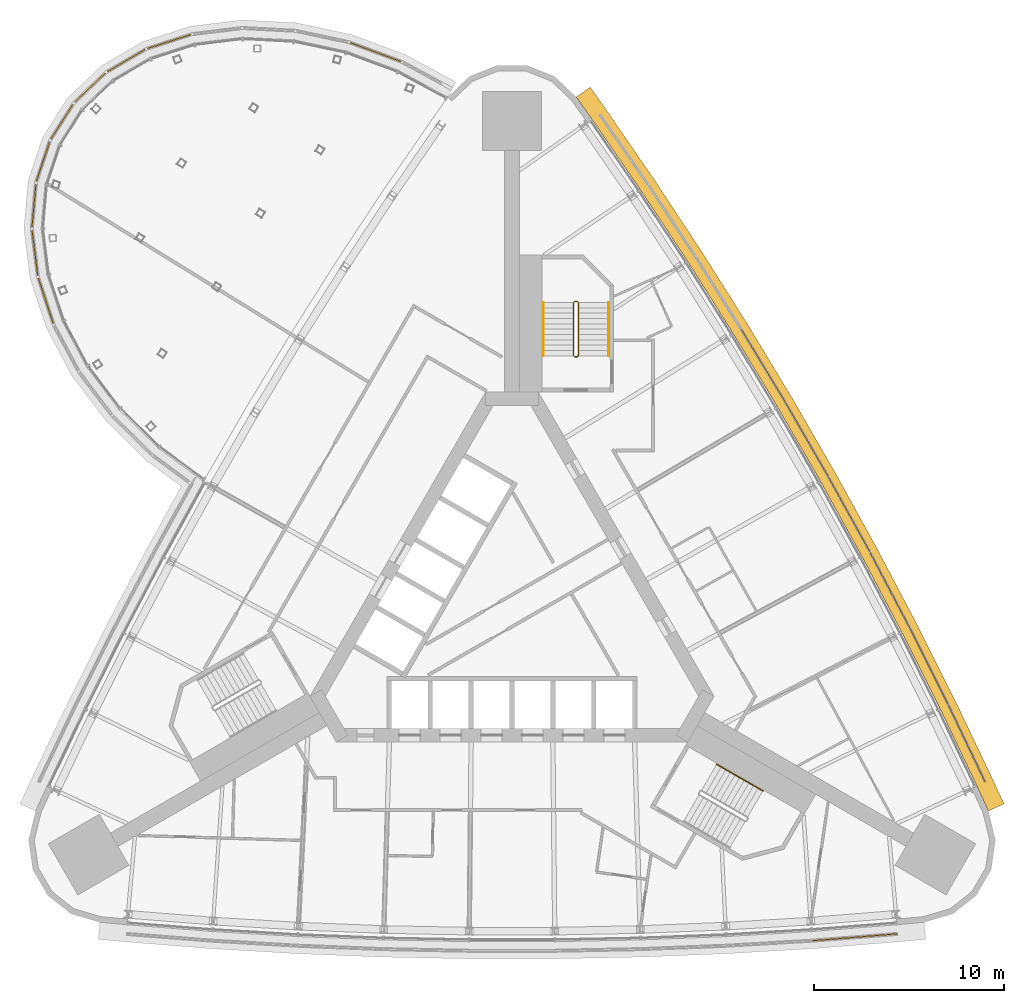
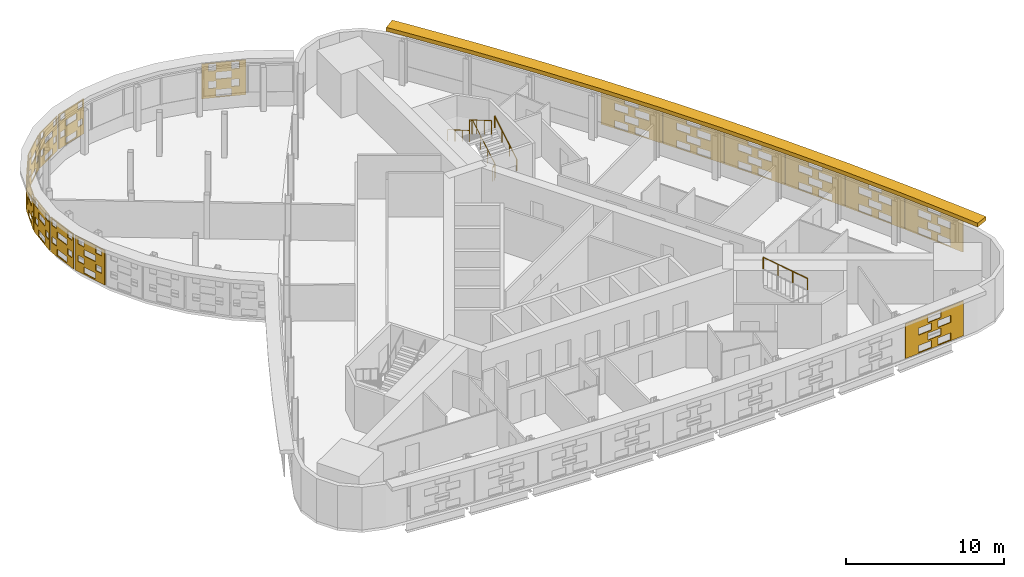
# One storey, part 15 of 16: 17 shading devices, 4 railings.
"""IFC4 building model written with IfcOpenShell, lengths in metres."""

from ifc_helpers import new_model, si_unit, direction, frame, origin, origin_2d, place, context, subcontext, project, spatial, polyline, circle, outline, extrude, material, layer, layer_set, material_profile, profile_set, type_object, element, save


model = new_model("IFC4")

# Units and contexts
model_context = context("Model", 3, precision=1e-05, world=origin(), true_north=direction((0.0, 1.0)))
body_context = subcontext(model_context, "Body", "Model", "MODEL_VIEW")
ifc_project = project(units=[si_unit("LENGTHUNIT", "METRE"), si_unit("AREAUNIT", "SQUARE_METRE"), si_unit("VOLUMEUNIT", "CUBIC_METRE"), si_unit("PLANEANGLEUNIT", "RADIAN"), si_unit("MASSUNIT", "GRAM", prefix="KILO")], contexts=[model_context])

# Site, building, storey
site_placement = place(None, origin())
site = spatial("IfcSite", under=ifc_project, at=site_placement, CompositionType="ELEMENT")
building_placement = place(site_placement, origin())
building = spatial("IfcBuilding", under=site, at=building_placement, Name="Noor Cloister Tower", CompositionType="ELEMENT")
storey_placement = place(building_placement, frame((0.0, 0.0, 91.5)))
storey = spatial("IfcBuildingStorey", under=building, at=storey_placement, Name="L23", CompositionType="ELEMENT", Elevation=91.5)

# Shading devices
ifc_material_1 = material(Name="Limestone", Category="masonry")
ifc_material_profile = material_profile(ifc_material_1, outline(polyline([(-2.22998046875, -1.35009765625), (2.22998046875, -1.35009765625), (2.22998046875, 1.35009765625), (-2.22998046875, 1.35009765625), (-2.22998046875, -1.35009765625)]), holes=[polyline([(-1.25, -1.282470703125), (-0.25, -1.282470703125), (-0.25, -0.742431640625), (-1.25, -0.742431640625), (-1.25, -1.282470703125)]), polyline([(0.25, -1.282470703125), (1.25, -1.282470703125), (1.25, -0.742431640625), (0.25, -0.742431640625), (0.25, -1.282470703125)]), polyline([(-0.5, -0.607421875), (0.5, -0.607421875), (0.5, -0.0673828125), (-0.5, -0.0673828125), (-0.5, -0.607421875)]), polyline([(-1.25, 0.0673828125), (-0.25, 0.0673828125), (-0.25, 0.607421875), (-1.25, 0.607421875), (-1.25, 0.0673828125)]), polyline([(0.25, 0.0673828125), (1.25, 0.0673828125), (1.25, 0.607421875), (0.25, 0.607421875), (0.25, 0.0673828125)]), polyline([(-0.5, 0.742431640625), (0.5, 0.742431640625), (0.5, 1.282470703125), (-0.5, 1.282470703125), (-0.5, 0.742431640625)])]), Name="Woven screen 28 percent open")
ifc_profile_set = profile_set([ifc_material_profile], Name="Limestone")
shading_device_type_1 = type_object("IfcShadingDeviceType", Name="SCREEN woven limestone 28 percent open", PredefinedType="USERDEFINED", material=ifc_profile_set)
for number, where, z_axis, x_axis, name in (
    (1, (18.015869140625, -17.15673828125, 1.85009765625), (0.081362009455, -0.996684615823, 0.0), (0.996684615823, 0.081362009455, 0.0), "SCREEN L23 9"),
    (2, (23.8662109375, -7.02392578125, 1.85009765625), (0.902409201061, 0.430880068975, 0.0), (-0.430880068975, 0.902409201061, 0.0), "SCREEN L23 1"),
    (3, (21.885986328125, -2.973388671875, 1.85009765625), (0.894427191, 0.4472135955, 0.0), (-0.4472135955, 0.894427191, 0.0), "SCREEN L23 2"),
):
    element("IfcShadingDevice", number, at=place(storey_placement, frame(where, z_axis=z_axis, x_axis=x_axis)), inside=storey, type_object=shading_device_type_1, Name=name, ObjectType="SCREEN", PredefinedType="USERDEFINED", context=body_context, shape_type="SweptSolid", body=[
        extrude(outline(polyline([(-2.22998046875, -1.35009765625), (2.22998046875, -1.35009765625), (2.22998046875, 1.35009765625), (-2.22998046875, 1.35009765625), (-2.22998046875, -1.35009765625)]), holes=[polyline([(-1.25, -1.282470703125), (-0.25, -1.282470703125), (-0.25, -0.742431640625), (-1.25, -0.742431640625), (-1.25, -1.282470703125)]), polyline([(0.25, -1.282470703125), (1.25, -1.282470703125), (1.25, -0.742431640625), (0.25, -0.742431640625), (0.25, -1.282470703125)]), polyline([(-0.5, -0.607421875), (0.5, -0.607421875), (0.5, -0.0673828125), (-0.5, -0.0673828125), (-0.5, -0.607421875)]), polyline([(-1.25, 0.0673828125), (-0.25, 0.0673828125), (-0.25, 0.607421875), (-1.25, 0.607421875), (-1.25, 0.0673828125)]), polyline([(0.25, 0.0673828125), (1.25, 0.0673828125), (1.25, 0.607421875), (0.25, 0.607421875), (0.25, 0.0673828125)]), polyline([(-0.5, 0.742431640625), (0.5, 0.742431640625), (0.5, 1.282470703125), (-0.5, 1.282470703125), (-0.5, 0.742431640625)])]), origin(), (0.0, 0.0, 1.0), 0.06005859375),
    ])
shading_device_1_placement = place(storey_placement, frame((19.82666015625, 1.037353515625, 1.85009765625), z_axis=(0.885271944608, 0.465073740486, 0.0), x_axis=(-0.465073740486, 0.885271944608, 0.0)))
element("IfcShadingDevice", 4, at=shading_device_1_placement, inside=storey, type_object=shading_device_type_1, Name="SCREEN L23 3", ObjectType="SCREEN", PredefinedType="USERDEFINED", context=body_context, shape_type="SweptSolid", body=[
    extrude(outline(polyline([(-2.22998046875, -1.35009765625), (2.22998046875, -1.35009765625), (2.22998046875, 1.35009765625), (-2.22998046875, 1.35009765625), (-2.22998046875, -1.35009765625)]), holes=[polyline([(-1.25, -1.282470703125), (-0.25, -1.282470703125), (-0.25, -0.742431640625), (-1.25, -0.742431640625), (-1.25, -1.282470703125)]), polyline([(0.25, -1.282470703125), (1.25, -1.282470703125), (1.25, -0.742431640625), (0.25, -0.742431640625), (0.25, -1.282470703125)]), polyline([(-0.5, -0.607421875), (0.5, -0.607421875), (0.5, -0.0673828125), (-0.5, -0.0673828125), (-0.5, -0.607421875)]), polyline([(-1.25, 0.0673828125), (-0.25, 0.0673828125), (-0.25, 0.607421875), (-1.25, 0.607421875), (-1.25, 0.0673828125)]), polyline([(0.25, 0.0673828125), (1.25, 0.0673828125), (1.25, 0.607421875), (0.25, 0.607421875), (0.25, 0.0673828125)]), polyline([(-0.5, 0.742431640625), (0.5, 0.742431640625), (0.5, 1.282470703125), (-0.5, 1.282470703125), (-0.5, 0.742431640625)])]), origin(), (0.0, 0.0, 1.0), 0.059814453125),
])
for number, where, z_axis, x_axis, name in (
    (5, (17.6884765625, 5.006591796875, 1.85009765625), (0.874923997532, 0.484260259099, 0.0), (-0.484260259099, 0.874923997532, 0.0), "SCREEN L23 4"),
    (6, (15.47265625, 8.93310546875, 1.85009765625), (0.865982457891, 0.500074377092, 0.0), (-0.500074377092, 0.865982457891, 0.0), "SCREEN L23 5"),
):
    element("IfcShadingDevice", number, at=place(storey_placement, frame(where, z_axis=z_axis, x_axis=x_axis)), inside=storey, type_object=shading_device_type_1, Name=name, ObjectType="SCREEN", PredefinedType="USERDEFINED", context=body_context, shape_type="SweptSolid", body=[
        extrude(outline(polyline([(-2.22998046875, -1.35009765625), (2.22998046875, -1.35009765625), (2.22998046875, 1.35009765625), (-2.22998046875, 1.35009765625), (-2.22998046875, -1.35009765625)]), holes=[polyline([(-1.25, -1.282470703125), (-0.25, -1.282470703125), (-0.25, -0.742431640625), (-1.25, -0.742431640625), (-1.25, -1.282470703125)]), polyline([(0.25, -1.282470703125), (1.25, -1.282470703125), (1.25, -0.742431640625), (0.25, -0.742431640625), (0.25, -1.282470703125)]), polyline([(-0.5, -0.607421875), (0.5, -0.607421875), (0.5, -0.0673828125), (-0.5, -0.0673828125), (-0.5, -0.607421875)]), polyline([(-1.25, 0.0673828125), (-0.25, 0.0673828125), (-0.25, 0.607421875), (-1.25, 0.607421875), (-1.25, 0.0673828125)]), polyline([(0.25, 0.0673828125), (1.25, 0.0673828125), (1.25, 0.607421875), (0.25, 0.607421875), (0.25, 0.0673828125)]), polyline([(-0.5, 0.742431640625), (0.5, 0.742431640625), (0.5, 1.282470703125), (-0.5, 1.282470703125), (-0.5, 0.742431640625)])]), origin(), (0.0, 0.0, 1.0), 0.06005859375),
    ])
shading_device_2_placement = place(storey_placement, frame((13.18017578125, 12.8154296875, 1.85009765625), z_axis=(0.855690023312, 0.517488728384, 0.0), x_axis=(-0.517488728384, 0.855690023312, 0.0)))
element("IfcShadingDevice", 7, at=shading_device_2_placement, inside=storey, type_object=shading_device_type_1, Name="SCREEN L23 6", ObjectType="SCREEN", PredefinedType="USERDEFINED", context=body_context, shape_type="SweptSolid", body=[
    extrude(outline(polyline([(-2.22998046875, -1.35009765625), (2.22998046875, -1.35009765625), (2.22998046875, 1.35009765625), (-2.22998046875, 1.35009765625), (-2.22998046875, -1.35009765625)]), holes=[polyline([(-1.25, -1.282470703125), (-0.25, -1.282470703125), (-0.25, -0.742431640625), (-1.25, -0.742431640625), (-1.25, -1.282470703125)]), polyline([(0.25, -1.282470703125), (1.25, -1.282470703125), (1.25, -0.742431640625), (0.25, -0.742431640625), (0.25, -1.282470703125)]), polyline([(-0.5, -0.607421875), (0.5, -0.607421875), (0.5, -0.0673828125), (-0.5, -0.0673828125), (-0.5, -0.607421875)]), polyline([(-1.25, 0.0673828125), (-0.25, 0.0673828125), (-0.25, 0.607421875), (-1.25, 0.607421875), (-1.25, 0.0673828125)]), polyline([(0.25, 0.0673828125), (1.25, 0.0673828125), (1.25, 0.607421875), (0.25, 0.607421875), (0.25, 0.0673828125)]), polyline([(-0.5, 0.742431640625), (0.5, 0.742431640625), (0.5, 1.282470703125), (-0.5, 1.282470703125), (-0.5, 0.742431640625)])]), origin(), (0.0, 0.0, 1.0), 0.059814453125),
])
ifc_material_2 = material(Name="Limestone", Category="masonry")
ifc_layer = layer(ifc_material_2, 0.06005859375)
ifc_layer_set = layer_set([ifc_layer], Name="SCREEN woven limestone pod 28 percent open")
shading_device_type_2 = type_object("IfcShadingDeviceType", Name="SCREEN woven limestone pod 28 percent open", PredefinedType="USERDEFINED", material=ifc_layer_set)
shading_device_3_placement = place(storey_placement, frame((-7.169677734375, 29.285888671875, 1.85009765625), z_axis=(0.348899454527, 0.937160162742, 0.0), x_axis=(-0.937160162742, 0.348899454527, 0.0)))
element("IfcShadingDevice", 8, at=shading_device_3_placement, inside=storey, type_object=shading_device_type_2, Name="SCREEN L23 2", ObjectType="SCREEN", PredefinedType="USERDEFINED", context=body_context, shape_type="SweptSolid", body=[
    extrude(outline(polyline([(-1.431640625, -1.35009765625), (1.431640625, -1.35009765625), (1.431640625, 1.35009765625), (-1.431640625, 1.35009765625), (-1.431640625, -1.35009765625)]), holes=[polyline([(-0.5, -1.282470703125), (0.5, -1.282470703125), (0.5, -0.742431640625), (-0.5, -0.742431640625), (-0.5, -1.282470703125)]), polyline([(-1.0, -0.607421875), (-0.5, -0.607421875), (-0.5, -0.0673828125), (-1.0, -0.0673828125), (-1.0, -0.607421875)]), polyline([(0.5, -0.607421875), (1.0, -0.607421875), (1.0, -0.0673828125), (0.5, -0.0673828125), (0.5, -0.607421875)]), polyline([(-0.5, 0.0673828125), (0.5, 0.0673828125), (0.5, 0.607421875), (-0.5, 0.607421875), (-0.5, 0.0673828125)]), polyline([(-1.0, 0.742431640625), (-0.5, 0.742431640625), (-0.5, 1.282470703125), (-1.0, 1.282470703125), (-1.0, 0.742431640625)]), polyline([(0.5, 0.742431640625), (1.0, 0.742431640625), (1.0, 1.282470703125), (0.5, 1.282470703125), (0.5, 0.742431640625)])]), origin(), (0.0, 0.0, 1.0), 0.06005859375),
])
shading_device_4_placement = place(storey_placement, frame((-17.99951171875, 29.841796875, 1.85009765625), z_axis=(-0.305218682065, 0.952282288042, 0.0), x_axis=(-0.952282288042, -0.305218682065, 0.0)))
element("IfcShadingDevice", 9, at=shading_device_4_placement, inside=storey, type_object=shading_device_type_2, Name="SCREEN L23 6", ObjectType="SCREEN", PredefinedType="USERDEFINED", context=body_context, shape_type="SweptSolid", body=[
    extrude(outline(polyline([(-1.198486328125, -1.35009765625), (1.198486328125, -1.35009765625), (1.198486328125, 1.35009765625), (-1.198486328125, 1.35009765625), (-1.198486328125, -1.35009765625)]), holes=[polyline([(-0.5, -1.251220703125), (0.5, -1.251220703125), (0.5, -0.773681640625), (-0.5, -0.773681640625), (-0.5, -1.251220703125)]), polyline([(0.60009765625, -0.576416015625), (1.048583984375, -0.576416015625), (1.048583984375, -0.0986328125), (0.60009765625, -0.0986328125), (0.60009765625, -0.576416015625)]), polyline([(-1.048583984375, -0.576416015625), (-0.60009765625, -0.576416015625), (-0.60009765625, -0.0986328125), (-1.048583984375, -0.0986328125), (-1.048583984375, -0.576416015625)]), polyline([(-0.5, 0.0986328125), (0.5, 0.0986328125), (0.5, 0.576416015625), (-0.5, 0.576416015625), (-0.5, 0.0986328125)]), polyline([(0.60009765625, 0.773681640625), (1.048583984375, 0.773681640625), (1.048583984375, 1.251220703125), (0.60009765625, 1.251220703125), (0.60009765625, 0.773681640625)]), polyline([(-1.048583984375, 0.773681640625), (-0.60009765625, 0.773681640625), (-0.60009765625, 1.251220703125), (-1.048583984375, 1.251220703125), (-1.048583984375, 0.773681640625)])]), origin(), (0.0, 0.0, 1.0), 0.06005859375),
])
shading_device_5_placement = place(storey_placement, frame((-20.248291015625, 28.844970703125, 1.85009765625), z_axis=(-0.504883315038, 0.863187603129, 0.0), x_axis=(-0.863187603129, -0.504883315038, 0.0)))
element("IfcShadingDevice", 10, at=shading_device_5_placement, inside=storey, type_object=shading_device_type_2, Name="SCREEN L23 7", ObjectType="SCREEN", PredefinedType="USERDEFINED", context=body_context, shape_type="SweptSolid", body=[
    extrude(outline(polyline([(-1.13916015625, -1.35009765625), (1.13916015625, -1.35009765625), (1.13916015625, 1.35009765625), (-1.13916015625, 1.35009765625), (-1.13916015625, -1.35009765625)]), holes=[polyline([(-0.5, -1.254638671875), (0.5, -1.254638671875), (0.5, -0.770263671875), (-0.5, -0.770263671875), (-0.5, -1.254638671875)]), polyline([(0.60009765625, -0.57958984375), (0.9892578125, -0.57958984375), (0.9892578125, -0.095458984375), (0.60009765625, -0.095458984375), (0.60009765625, -0.57958984375)]), polyline([(-0.9892578125, -0.57958984375), (-0.60009765625, -0.57958984375), (-0.60009765625, -0.095458984375), (-0.9892578125, -0.095458984375), (-0.9892578125, -0.57958984375)]), polyline([(-0.5, 0.095458984375), (0.5, 0.095458984375), (0.5, 0.57958984375), (-0.5, 0.57958984375), (-0.5, 0.095458984375)]), polyline([(0.60009765625, 0.770263671875), (0.9892578125, 0.770263671875), (0.9892578125, 1.254638671875), (0.60009765625, 1.254638671875), (0.60009765625, 0.770263671875)]), polyline([(-0.9892578125, 0.770263671875), (-0.60009765625, 0.770263671875), (-0.60009765625, 1.254638671875), (-0.9892578125, 1.254638671875), (-0.9892578125, 0.770263671875)])]), origin(), (0.0, 0.0, 1.0), 0.06005859375),
])
shading_device_6_placement = place(storey_placement, frame((-22.145263671875, 27.42919921875, 1.85009765625), z_axis=(-0.688535283471, 0.725202842945, 0.0), x_axis=(-0.725202842945, -0.688535283471, 0.0)))
element("IfcShadingDevice", 11, at=shading_device_6_placement, inside=storey, type_object=shading_device_type_2, Name="SCREEN L23 8", ObjectType="SCREEN", PredefinedType="USERDEFINED", context=body_context, shape_type="SweptSolid", body=[
    extrude(outline(polyline([(-1.098388671875, -1.35009765625), (1.098388671875, -1.35009765625), (1.098388671875, 1.35009765625), (-1.098388671875, 1.35009765625), (-1.098388671875, -1.35009765625)]), holes=[polyline([(-0.5, -1.257080078125), (0.5, -1.257080078125), (0.5, -0.767822265625), (-0.5, -0.767822265625), (-0.5, -1.257080078125)]), polyline([(0.60009765625, -0.582275390625), (0.948486328125, -0.582275390625), (0.948486328125, -0.0927734375), (0.60009765625, -0.0927734375), (0.60009765625, -0.582275390625)]), polyline([(-0.948486328125, -0.582275390625), (-0.60009765625, -0.582275390625), (-0.60009765625, -0.0927734375), (-0.948486328125, -0.0927734375), (-0.948486328125, -0.582275390625)]), polyline([(-0.5, 0.0927734375), (0.5, 0.0927734375), (0.5, 0.582275390625), (-0.5, 0.582275390625), (-0.5, 0.0927734375)]), polyline([(0.60009765625, 0.767822265625), (0.948486328125, 0.767822265625), (0.948486328125, 1.257080078125), (0.60009765625, 1.257080078125), (0.60009765625, 0.767822265625)]), polyline([(-0.948486328125, 0.767822265625), (-0.60009765625, 0.767822265625), (-0.60009765625, 1.257080078125), (-0.948486328125, 1.257080078125), (-0.948486328125, 0.767822265625)])]), origin(), (0.0, 0.0, 1.0), 0.059814453125),
])
shading_device_7_placement = place(storey_placement, frame((-23.617919921875, 25.642578125, 1.85009765625), z_axis=(-0.844329420183, 0.535824439731, 0.0), x_axis=(-0.535824439731, -0.844329420183, 0.0)))
element("IfcShadingDevice", 12, at=shading_device_7_placement, inside=storey, type_object=shading_device_type_2, Name="SCREEN L23 9", ObjectType="SCREEN", PredefinedType="USERDEFINED", context=body_context, shape_type="SweptSolid", body=[
    extrude(outline(polyline([(-1.083740234375, -1.35009765625), (1.083740234375, -1.35009765625), (1.083740234375, 1.35009765625), (-1.083740234375, 1.35009765625), (-1.083740234375, -1.35009765625)]), holes=[polyline([(-0.5, -1.258056640625), (0.5, -1.258056640625), (0.5, -0.766845703125), (-0.5, -0.766845703125), (-0.5, -1.258056640625)]), polyline([(0.60009765625, -0.583251953125), (0.933837890625, -0.583251953125), (0.933837890625, -0.091796875), (0.60009765625, -0.091796875), (0.60009765625, -0.583251953125)]), polyline([(-0.933837890625, -0.583251953125), (-0.60009765625, -0.583251953125), (-0.60009765625, -0.091796875), (-0.933837890625, -0.091796875), (-0.933837890625, -0.583251953125)]), polyline([(-0.5, 0.091796875), (0.5, 0.091796875), (0.5, 0.583251953125), (-0.5, 0.583251953125), (-0.5, 0.091796875)]), polyline([(0.60009765625, 0.766845703125), (0.933837890625, 0.766845703125), (0.933837890625, 1.258056640625), (0.60009765625, 1.258056640625), (0.60009765625, 0.766845703125)]), polyline([(-0.933837890625, 0.766845703125), (-0.60009765625, 0.766845703125), (-0.60009765625, 1.258056640625), (-0.933837890625, 1.258056640625), (-0.933837890625, 0.766845703125)])]), origin(), (0.0, 0.0, 1.0), 0.06005859375),
])
shading_device_8_placement = place(storey_placement, frame((-24.610107421875, 23.55029296875, 1.85009765625), z_axis=(-0.94827552716, 0.317448459736, 0.0), x_axis=(-0.317448459736, -0.94827552716, 0.0)))
element("IfcShadingDevice", 13, at=shading_device_8_placement, inside=storey, type_object=shading_device_type_2, Name="SCREEN L23 10", ObjectType="SCREEN", PredefinedType="USERDEFINED", context=body_context, shape_type="SweptSolid", body=[
    extrude(outline(polyline([(-1.098388671875, -1.35009765625), (1.098388671875, -1.35009765625), (1.098388671875, 1.35009765625), (-1.098388671875, 1.35009765625), (-1.098388671875, -1.35009765625)]), holes=[polyline([(-0.5, -1.257080078125), (0.5, -1.257080078125), (0.5, -0.767822265625), (-0.5, -0.767822265625), (-0.5, -1.257080078125)]), polyline([(0.60009765625, -0.582275390625), (0.948486328125, -0.582275390625), (0.948486328125, -0.0927734375), (0.60009765625, -0.0927734375), (0.60009765625, -0.582275390625)]), polyline([(-0.948486328125, -0.582275390625), (-0.60009765625, -0.582275390625), (-0.60009765625, -0.0927734375), (-0.948486328125, -0.0927734375), (-0.948486328125, -0.582275390625)]), polyline([(-0.5, 0.0927734375), (0.5, 0.0927734375), (0.5, 0.582275390625), (-0.5, 0.582275390625), (-0.5, 0.0927734375)]), polyline([(0.60009765625, 0.767822265625), (0.948486328125, 0.767822265625), (0.948486328125, 1.257080078125), (0.60009765625, 1.257080078125), (0.60009765625, 0.767822265625)]), polyline([(-0.948486328125, 0.767822265625), (-0.60009765625, 0.767822265625), (-0.60009765625, 1.257080078125), (-0.948486328125, 1.257080078125), (-0.948486328125, 0.767822265625)])]), origin(), (0.0, 0.0, 1.0), 0.06005859375),
])
shading_device_9_placement = place(storey_placement, frame((-25.08642578125, 21.23193359375, 1.85009765625), z_axis=(-0.995959849254, 0.089799658539, 0.0), x_axis=(-0.089799658539, -0.995959849254, 0.0)))
element("IfcShadingDevice", 14, at=shading_device_9_placement, inside=storey, type_object=shading_device_type_2, Name="SCREEN L23 11", ObjectType="SCREEN", PredefinedType="USERDEFINED", context=body_context, shape_type="SweptSolid", body=[
    extrude(outline(polyline([(-1.13916015625, -1.35009765625), (1.13916015625, -1.35009765625), (1.13916015625, 1.35009765625), (-1.13916015625, 1.35009765625), (-1.13916015625, -1.35009765625)]), holes=[polyline([(-0.5, -1.254638671875), (0.5, -1.254638671875), (0.5, -0.770263671875), (-0.5, -0.770263671875), (-0.5, -1.254638671875)]), polyline([(0.60009765625, -0.57958984375), (0.9892578125, -0.57958984375), (0.9892578125, -0.095458984375), (0.60009765625, -0.095458984375), (0.60009765625, -0.57958984375)]), polyline([(-0.9892578125, -0.57958984375), (-0.60009765625, -0.57958984375), (-0.60009765625, -0.095458984375), (-0.9892578125, -0.095458984375), (-0.9892578125, -0.57958984375)]), polyline([(-0.5, 0.095458984375), (0.5, 0.095458984375), (0.5, 0.57958984375), (-0.5, 0.57958984375), (-0.5, 0.095458984375)]), polyline([(0.60009765625, 0.770263671875), (0.9892578125, 0.770263671875), (0.9892578125, 1.254638671875), (0.60009765625, 1.254638671875), (0.60009765625, 0.770263671875)]), polyline([(-0.9892578125, 0.770263671875), (-0.60009765625, 0.770263671875), (-0.60009765625, 1.254638671875), (-0.9892578125, 1.254638671875), (-0.9892578125, 0.770263671875)])]), origin(), (0.0, 0.0, 1.0), 0.059814453125),
])
shading_device_10_placement = place(storey_placement, frame((-25.033935546875, 18.7724609375, 1.85009765625), z_axis=(-0.992025662364, -0.126036047268, 0.0), x_axis=(0.126036047268, -0.992025662364, 0.0)))
element("IfcShadingDevice", 15, at=shading_device_10_placement, inside=storey, type_object=shading_device_type_2, Name="SCREEN L23 12", ObjectType="SCREEN", PredefinedType="USERDEFINED", context=body_context, shape_type="SweptSolid", body=[
    extrude(outline(polyline([(-1.198486328125, -1.35009765625), (1.198486328125, -1.35009765625), (1.198486328125, 1.35009765625), (-1.198486328125, 1.35009765625), (-1.198486328125, -1.35009765625)]), holes=[polyline([(-0.5, -1.251220703125), (0.5, -1.251220703125), (0.5, -0.773681640625), (-0.5, -0.773681640625), (-0.5, -1.251220703125)]), polyline([(0.60009765625, -0.576416015625), (1.048583984375, -0.576416015625), (1.048583984375, -0.0986328125), (0.60009765625, -0.0986328125), (0.60009765625, -0.576416015625)]), polyline([(-1.048583984375, -0.576416015625), (-0.60009765625, -0.576416015625), (-0.60009765625, -0.0986328125), (-1.048583984375, -0.0986328125), (-1.048583984375, -0.576416015625)]), polyline([(-0.5, 0.0986328125), (0.5, 0.0986328125), (0.5, 0.576416015625), (-0.5, 0.576416015625), (-0.5, 0.0986328125)]), polyline([(0.60009765625, 0.773681640625), (1.048583984375, 0.773681640625), (1.048583984375, 1.251220703125), (0.60009765625, 1.251220703125), (0.60009765625, 0.773681640625)]), polyline([(-1.048583984375, 0.773681640625), (-0.60009765625, 0.773681640625), (-0.60009765625, 1.251220703125), (-1.048583984375, 1.251220703125), (-1.048583984375, 0.773681640625)])]), origin(), (0.0, 0.0, 1.0), 0.06005859375),
])
shading_device_11_placement = place(storey_placement, frame((-24.46044921875, 16.257568359375, 1.85009765625), z_axis=(-0.949495164524, -0.313781663813, 0.0), x_axis=(0.313781663813, -0.949495164524, 0.0)))
element("IfcShadingDevice", 16, at=shading_device_11_placement, inside=storey, type_object=shading_device_type_2, Name="SCREEN L23 13", ObjectType="SCREEN", PredefinedType="USERDEFINED", context=body_context, shape_type="SweptSolid", body=[
    extrude(outline(polyline([(-1.266357421875, -1.35009765625), (1.266357421875, -1.35009765625), (1.266357421875, 1.35009765625), (-1.266357421875, 1.35009765625), (-1.266357421875, -1.35009765625)]), holes=[polyline([(-0.5, -1.251708984375), (0.5, -1.251708984375), (0.5, -0.773193359375), (-0.5, -0.773193359375), (-0.5, -1.251708984375)]), polyline([(-1.0, -0.576904296875), (-0.5, -0.576904296875), (-0.5, -0.09814453125), (-1.0, -0.09814453125), (-1.0, -0.576904296875)]), polyline([(0.5, -0.576904296875), (1.0, -0.576904296875), (1.0, -0.09814453125), (0.5, -0.09814453125), (0.5, -0.576904296875)]), polyline([(-0.5, 0.09814453125), (0.5, 0.09814453125), (0.5, 0.576904296875), (-0.5, 0.576904296875), (-0.5, 0.09814453125)]), polyline([(-1.0, 0.773193359375), (-0.5, 0.773193359375), (-0.5, 1.251708984375), (-1.0, 1.251708984375), (-1.0, 0.773193359375)]), polyline([(0.5, 0.773193359375), (1.0, 0.773193359375), (1.0, 1.251708984375), (0.5, 1.251708984375), (0.5, 0.773193359375)])]), origin(), (0.0, 0.0, 1.0), 0.059814453125),
])
ifc_material_3 = material(Name="Limestone", Category="masonry")
shading_device_type_3 = type_object("IfcShadingDeviceType", Name="SUNSHADE limestone band 900", PredefinedType="USERDEFINED", material=ifc_material_3)
shading_device_12_placement = place(storey_placement, frame((0.0, 0.0, 3.300048828125)))
element("IfcShadingDevice", 17, at=shading_device_12_placement, inside=storey, type_object=shading_device_type_3, Name="SUNSHADE L23 3", ObjectType="SUNSHADE", PredefinedType="USERDEFINED", context=body_context, shape_type="SweptSolid", body=[
    extrude(outline(polyline([(25.846923828125, -10.17626953125), (25.2431640625, -8.866455078125), (23.30029296875, -4.791259765625), (21.2763671875, -0.75244140625), (19.17333984375, 3.245849609375), (16.991943359375, 7.201904296875), (14.733154296875, 11.114501953125), (12.397705078125, 14.981689453125), (9.986572265625, 18.802001953125), (7.5009765625, 22.57421875), (4.943115234375, 26.29443359375), (4.110595703125, 27.47216796875), (3.37548828125, 26.95263671875), (4.204833984375, 25.77978515625), (6.754150390625, 22.07177734375), (9.230224609375, 18.314208984375), (11.6318359375, 14.5087890625), (13.9580078125, 10.65673828125), (16.2080078125, 6.759765625), (18.380859375, 2.819091796875), (20.475830078125, -1.16357421875), (22.49169921875, -5.1865234375), (24.42822265625, -9.24853515625), (25.029541015625, -10.552978515625), (25.846923828125, -10.17626953125)])), origin(), (0.0, 0.0, 1.0), 0.300048828125),
])

# Railings
ifc_material_4 = material(Name="Stainless steel", Category="steel")
railing_type_1 = type_object("IfcRailingType", Name="Stair guard 1100", PredefinedType="GUARDRAIL", material=ifc_material_4)
railing_1_placement = place(storey_placement, frame((3.435546875, 13.306396484375, 0.0)))
element("IfcRailing", 18, at=railing_1_placement, inside=storey, type_object=railing_type_1, Name="Stair guard ST1 L23", PredefinedType="GUARDRAIL", context=body_context, shape_type="SweptSolid", body=[
    extrude(circle(Radius=0.02392578125, at=origin_2d()), frame((0.0, 0.0, 1.076171875), z_axis=(-1.0, 0.0, 0.0), x_axis=(0.0, -1.0, 0.0)), (0.0, 0.0, 1.0), 0.14990234375),
    extrude(circle(Radius=0.02392578125, at=origin_2d()), frame((-0.14990234375, 0.0, 1.076171875), z_axis=(0.759870394187, 0.190199549216, 0.621627795), x_axis=(-0.242814311512, 0.970072785993, 0.0)), (0.0, 0.0, 1.0), 0.26318359375),
    extrude(circle(Radius=0.02392578125, at=origin_2d()), frame((0.050048828125, 0.050048828125, 1.23974609375), z_axis=(0.0, 0.863360870873, 0.504586966384), x_axis=(-1.0, 0.0, 0.0)), (0.0, 0.0, 1.0), 3.2431640625),
    extrude(circle(Radius=0.02392578125, at=origin_2d()), frame((0.050048828125, 2.85009765625, 2.8759765625), z_axis=(-0.708833529934, 0.705375805398, 0.0), x_axis=(-0.705375805398, -0.708833529934, 0.0)), (0.0, 0.0, 1.0), 0.070556640625),
    extrude(circle(Radius=0.02392578125, at=origin_2d()), frame((0.0, 2.89990234375, 2.8759765625), z_axis=(-1.0, 0.0, 0.0), x_axis=(0.0, -1.0, 0.0)), (0.0, 0.0, 1.0), 0.14990234375),
    extrude(circle(Radius=0.02392578125, at=origin_2d()), frame((-0.14990234375, 2.89990234375, 2.8759765625), z_axis=(-0.280916556609, -0.279546231943, 0.91811752648), x_axis=(0.705375805398, -0.708833529934, 0.0)), (0.0, 0.0, 1.0), 0.17822265625),
    extrude(circle(Radius=0.02392578125, at=origin_2d()), frame((-0.199951171875, 2.85009765625, 3.03955078125), z_axis=(0.0, -0.863360870873, 0.504586966384), x_axis=(1.0, 0.0, 0.0)), (0.0, 0.0, 1.0), 3.2431640625),
    extrude(circle(Radius=0.02099609375, at=origin_2d()), origin(), (0.0, 0.0, 1.0), 1.052001953125),
    extrude(circle(Radius=0.02099609375, at=origin_2d()), frame((-0.14990234375, 0.0, 0.0)), (0.0, 0.0, 1.0), 1.052001953125),
    extrude(circle(Radius=0.02099609375, at=origin_2d()), frame((0.050048828125, 0.050048828125, 0.16357421875)), (0.0, 0.0, 1.0), 1.052001953125),
    extrude(circle(Radius=0.02099609375, at=origin_2d()), frame((0.050048828125, 0.9833984375, 0.708984375)), (0.0, 0.0, 1.0), 1.052001953125),
    extrude(circle(Radius=0.02099609375, at=origin_2d()), frame((0.050048828125, 1.916748046875, 1.254638671875)), (0.0, 0.0, 1.0), 1.052001953125),
    extrude(circle(Radius=0.02099609375, at=origin_2d()), frame((0.050048828125, 2.85009765625, 1.800048828125)), (0.0, 0.0, 1.0), 1.052001953125),
    extrude(circle(Radius=0.02099609375, at=origin_2d()), frame((0.0, 2.89990234375, 1.800048828125)), (0.0, 0.0, 1.0), 1.052001953125),
    extrude(circle(Radius=0.02099609375, at=origin_2d()), frame((-0.14990234375, 2.89990234375, 1.800048828125)), (0.0, 0.0, 1.0), 1.052001953125),
    extrude(circle(Radius=0.02099609375, at=origin_2d()), frame((-0.199951171875, 2.85009765625, 1.963623046875)), (0.0, 0.0, 1.0), 1.052001953125),
    extrude(circle(Radius=0.02099609375, at=origin_2d()), frame((-0.199951171875, 1.916748046875, 2.509033203125)), (0.0, 0.0, 1.0), 1.052001953125),
    extrude(circle(Radius=0.02099609375, at=origin_2d()), frame((-0.199951171875, 0.9833984375, 3.0546875)), (0.0, 0.0, 1.0), 1.052001953125),
    extrude(circle(Radius=0.02099609375, at=origin_2d()), frame((-0.199951171875, 0.050048828125, 3.60009765625)), (0.0, 0.0, 1.0), 1.052001953125),
])
ifc_material_5 = material(Name="Stainless steel", Category="steel")
railing_type_2 = type_object("IfcRailingType", Name="Stair handrail 900", PredefinedType="HANDRAIL", material=ifc_material_5)
railing_2_placement = place(storey_placement, frame((5.085693359375, 13.3564453125, 0.16357421875)))
element("IfcRailing", 19, at=railing_2_placement, inside=storey, type_object=railing_type_2, Name="Stair handrail ST1 L23 1", PredefinedType="HANDRAIL", context=body_context, shape_type="SweptSolid", body=[
    extrude(circle(Radius=0.02392578125, at=origin_2d()), frame((0.0, 0.0, 0.8759765625), z_axis=(0.0, 0.863360870873, 0.504586966384), x_axis=(-1.0, 0.0, 0.0)), (0.0, 0.0, 1.0), 3.2431640625),
    extrude(circle(Radius=0.02099609375, at=origin_2d()), origin(), (0.0, 0.0, 1.0), 0.851806640625),
    extrude(circle(Radius=0.02099609375, at=origin_2d()), frame((0.0, 0.933349609375, 0.54541015625)), (0.0, 0.0, 1.0), 0.851806640625),
    extrude(circle(Radius=0.02099609375, at=origin_2d()), frame((0.0, 1.86669921875, 1.091064453125)), (0.0, 0.0, 1.0), 0.851806640625),
    extrude(circle(Radius=0.02099609375, at=origin_2d()), frame((0.0, 2.800048828125, 1.636474609375)), (0.0, 0.0, 1.0), 0.851806640625),
])
railing_3_placement = place(storey_placement, frame((1.6357421875, 16.156494140625, 1.963623046875)))
element("IfcRailing", 20, at=railing_3_placement, inside=storey, type_object=railing_type_2, Name="Stair handrail ST1 L23 2", PredefinedType="HANDRAIL", context=body_context, shape_type="SweptSolid", body=[
    extrude(circle(Radius=0.02392578125, at=origin_2d()), frame((0.0, 0.0, 0.8759765625), z_axis=(0.0, -0.863360870873, 0.504586966384), x_axis=(1.0, 0.0, 0.0)), (0.0, 0.0, 1.0), 3.2431640625),
    extrude(circle(Radius=0.02099609375, at=origin_2d()), origin(), (0.0, 0.0, 1.0), 0.851806640625),
    extrude(circle(Radius=0.02099609375, at=origin_2d()), frame((0.0, -0.933349609375, 0.54541015625)), (0.0, 0.0, 1.0), 0.851806640625),
    extrude(circle(Radius=0.02099609375, at=origin_2d()), frame((0.0, -1.86669921875, 1.091064453125)), (0.0, 0.0, 1.0), 0.851806640625),
    extrude(circle(Radius=0.02099609375, at=origin_2d()), frame((0.0, -2.800048828125, 1.636474609375)), (0.0, 0.0, 1.0), 0.851806640625),
])
railing_4_placement = place(storey_placement, frame((13.174072265625, -9.49462890625, 1.963623046875)))
element("IfcRailing", 21, at=railing_4_placement, inside=storey, type_object=railing_type_2, Name="Stair handrail ST3 L23 2", PredefinedType="HANDRAIL", context=body_context, shape_type="SweptSolid", body=[
    extrude(circle(Radius=0.02392578125, at=origin_2d()), frame((0.0, 0.0, 0.8759765625), z_axis=(-0.747689811644, 0.431660630283, 0.504607813879), x_axis=(-0.49998411664, -0.866034573852, 0.0)), (0.0, 0.0, 1.0), 3.2431640625),
    extrude(circle(Radius=0.02099609375, at=origin_2d()), origin(), (0.0, 0.0, 1.0), 0.851806640625),
    extrude(circle(Radius=0.02099609375, at=origin_2d()), frame((-0.808349609375, 0.466552734375, 0.54541015625)), (0.0, 0.0, 1.0), 0.851806640625),
    extrude(circle(Radius=0.02099609375, at=origin_2d()), frame((-1.616455078125, 0.933349609375, 1.091064453125)), (0.0, 0.0, 1.0), 0.851806640625),
    extrude(circle(Radius=0.02099609375, at=origin_2d()), frame((-2.4248046875, 1.39990234375, 1.636474609375)), (0.0, 0.0, 1.0), 0.851806640625),
])

save(model, "model.ifc")
